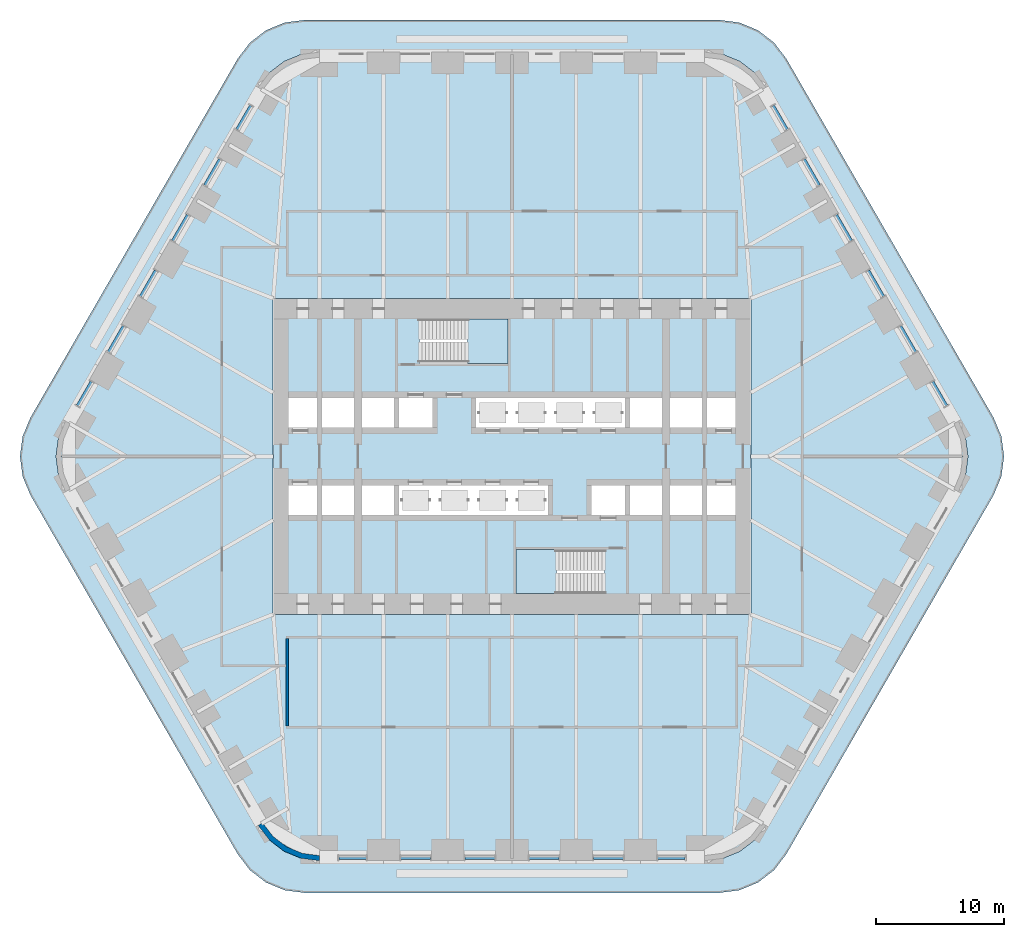
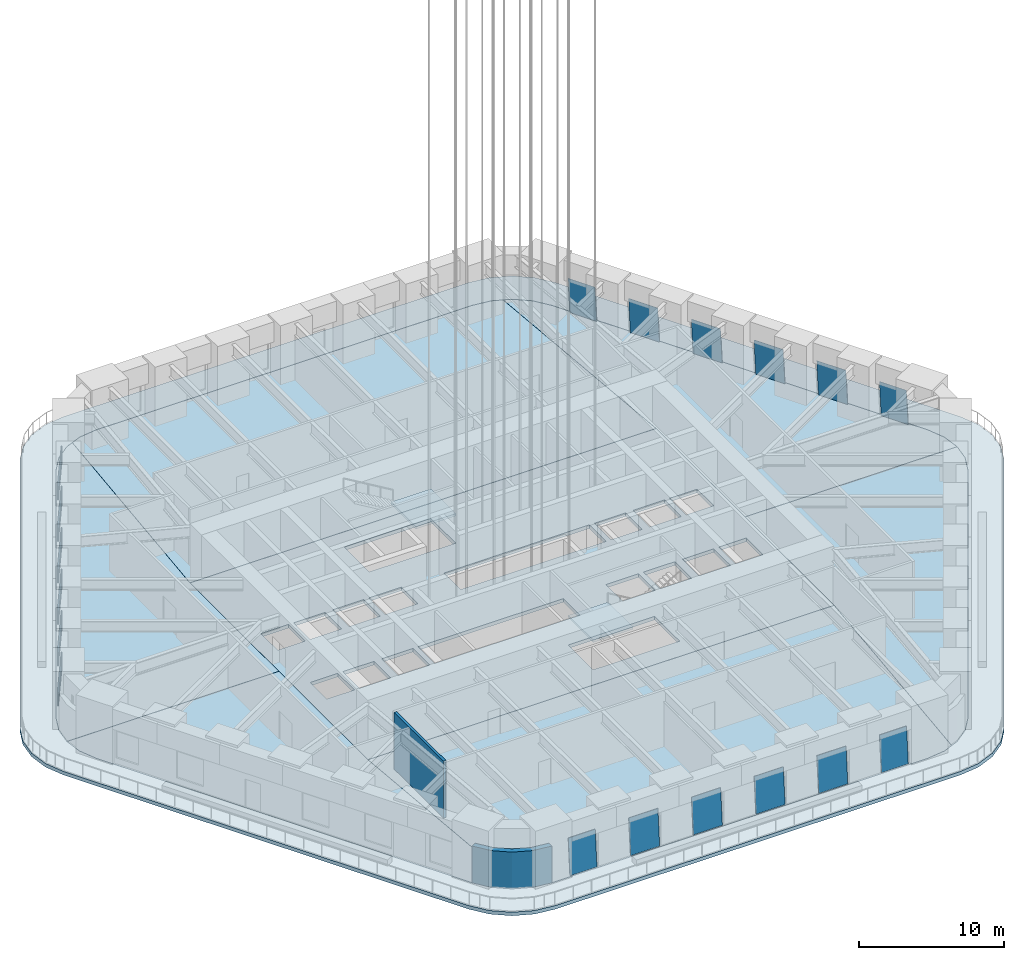
# One storey, part 6 of 15: 18 plates, 10 slabs, 2 walls, 20 elements without a shape of their own.
"""IFC4 building model written with IfcOpenShell, lengths in metres."""

from ifc_helpers import new_model, si_unit, direction, frame, frame_2d, origin, place, context, subcontext, project, spatial, polyline, rectangle, outline, extrude, material, layer, layer_set, type_object, element, aggregate, save


model = new_model("IFC4")

# Units and contexts
model_context = context("Model", 3, precision=1e-05, world=origin(), true_north=direction((0.0, 1.0)))
body_context = subcontext(model_context, "Body", "Model", "MODEL_VIEW")
ifc_project = project(units=[si_unit("LENGTHUNIT", "METRE"), si_unit("AREAUNIT", "SQUARE_METRE"), si_unit("VOLUMEUNIT", "CUBIC_METRE"), si_unit("PLANEANGLEUNIT", "RADIAN"), si_unit("MASSUNIT", "GRAM", prefix="KILO")], contexts=[model_context])

# Site, building, storey
site_placement = place(None, origin())
site = spatial("IfcSite", under=ifc_project, at=site_placement, CompositionType="ELEMENT")
building_placement = place(site_placement, origin())
building = spatial("IfcBuilding", under=site, at=building_placement, Name="Tarfa Lantern Tower", CompositionType="ELEMENT")
storey_placement = place(building_placement, frame((0.0, 0.0, 114.5)))
storey = spatial("IfcBuildingStorey", under=building, at=storey_placement, Name="L25", CompositionType="ELEMENT", Elevation=114.5)

# Curtain wall, plate
ifc_material_1 = material(Name="Aluminium framed curtain wall", Category="aluminium")
curtain_wall_type = type_object("IfcCurtainWallType", Name="CW5 CANTED GLAZING SKY LOBBY 3100", PredefinedType="USERDEFINED", material=ifc_material_1)
curtain_wall_1_placement = place(storey_placement, origin())
curtain_wall_1 = element("IfcCurtainWall", 1, at=curtain_wall_1_placement, inside=storey, type_object=curtain_wall_type, Name="CW5 NE L25", ObjectType="CURTAIN WALL", PredefinedType="USERDEFINED")
ifc_material_2 = material(Name="Laminated double glazing", Category="glass")
ifc_layer_1 = layer(ifc_material_2, 0.028076171875)
ifc_layer_set_1 = layer_set([ifc_layer_1], Name="CWP1 DOUBLE GLAZED PANEL")
plate_type = type_object("IfcPlateType", Name="CWP1 DOUBLE GLAZED PANEL", PredefinedType="CURTAIN_PANEL", material=ifc_layer_set_1)
plate_1_placement = place(storey_placement, frame((33.941162109375, 4.011962890625, 0.0), z_axis=(0.863252165873, 0.498335020971, 0.080361091263), x_axis=(-0.499951956822, 0.866053139749, 0.0)))
plate_1 = element("IfcPlate", 2, at=plate_1_placement, type_object=plate_type, Name="CW5 panel 1.1", PredefinedType="CURTAIN_PANEL", context=body_context, shape_type="SweptSolid", body=[
    extrude(outline(polyline([(0.0, 0.0), (2.148643955367917, 1.3877787807814457e-17), (2.148659989427257, 3.044759416883778), (1.6034059339656292e-05, 3.044759416883778), (0.0, 0.0)])), origin(), (0.0, 0.0, -1.0), 0.028076171875),
])
aggregate(curtain_wall_1, [plate_1])

curtain_wall_2_placement = place(storey_placement, origin())
curtain_wall_2 = element("IfcCurtainWall", 3, at=curtain_wall_2_placement, inside=storey, type_object=curtain_wall_type, Name="CW5 NE L25", ObjectType="CURTAIN WALL", PredefinedType="USERDEFINED")
plate_2_placement = place(storey_placement, frame((31.52685546875, 8.19384765625, 0.0), z_axis=(0.863214494144, 0.498397061283, 0.080381007735), x_axis=(-0.500014857043, 0.866016825894, -2.104488e-06)))
plate_2 = element("IfcPlate", 4, at=plate_2_placement, type_object=plate_type, Name="CW5 panel 1.1", PredefinedType="CURTAIN_PANEL", context=body_context, shape_type="SweptSolid", body=[
    extrude(outline(polyline([(0.0, 0.0), (2.3237664552034683, 0.0), (2.3235824435876626, 3.0447692281774863), (2.7418273329181483e-05, 3.0447594161947067), (0.0, 0.0)])), origin(), (0.0, 0.0, -1.0), 0.028076171875),
])
aggregate(curtain_wall_2, [plate_2])

curtain_wall_3_placement = place(storey_placement, origin())
curtain_wall_3 = element("IfcCurtainWall", 5, at=curtain_wall_3_placement, inside=storey, type_object=curtain_wall_type, Name="CW5 NE L25", ObjectType="CURTAIN WALL", PredefinedType="USERDEFINED")
plate_3_placement = place(storey_placement, frame((29.025146484375, 12.527099609375, 0.0), z_axis=(0.863224156518, 0.498372408209, 0.080430083543), x_axis=(-0.499992256698, 0.866029874336, 0.0)))
plate_3 = element("IfcPlate", 6, at=plate_3_placement, type_object=plate_type, Name="CW5 panel 1.1", PredefinedType="CURTAIN_PANEL", context=body_context, shape_type="SweptSolid", body=[
    extrude(outline(polyline([(0.0, 0.0), (2.3237664559999, 0.0), (2.3239159442881285, 3.0447764150887604), (0.000149488288228819, 3.0447764150887604), (0.0, 0.0)])), origin(), (0.0, 0.0, -1.0), 0.028076171875),
])
aggregate(curtain_wall_3, [plate_3])

curtain_wall_4_placement = place(storey_placement, origin())
curtain_wall_4 = element("IfcCurtainWall", 7, at=curtain_wall_4_placement, inside=storey, type_object=curtain_wall_type, Name="CW5 NE L25", ObjectType="CURTAIN WALL", PredefinedType="USERDEFINED")
plate_4_placement = place(storey_placement, frame((26.523193359375, 16.860595703125, 0.0), z_axis=(0.863214494144, 0.498397061283, 0.080381007735), x_axis=(-0.500015151, 0.866016656171, 2.10468e-06)))
plate_4 = element("IfcPlate", 8, at=plate_4_placement, type_object=plate_type, Name="CW5 panel 1.1", PredefinedType="CURTAIN_PANEL", context=body_context, shape_type="SweptSolid", body=[
    extrude(outline(polyline([(0.0, 0.0), (2.3235550253350508, -1.3877787807814457e-17), (2.3235953011162227, 3.0447594160517766), (-0.00017115406652658507, 3.0447692289273895), (0.0, 0.0)])), origin(), (0.0, 0.0, -1.0), 0.028076171875),
])
aggregate(curtain_wall_4, [plate_4])

curtain_wall_5_placement = place(storey_placement, origin())
curtain_wall_5 = element("IfcCurtainWall", 9, at=curtain_wall_5_placement, inside=storey, type_object=curtain_wall_type, Name="CW5 NE L25", ObjectType="CURTAIN WALL", PredefinedType="USERDEFINED")
plate_5_placement = place(storey_placement, frame((24.021240234375, 21.19384765625, 0.0), z_axis=(0.863214494144, 0.498397061283, 0.080381007735), x_axis=(-0.500014857043, 0.866016825894, -2.104488e-06)))
plate_5 = element("IfcPlate", 10, at=plate_5_placement, type_object=plate_type, Name="CW5 panel 1.1", PredefinedType="CURTAIN_PANEL", context=body_context, shape_type="SweptSolid", body=[
    extrude(outline(polyline([(0.0, 0.0), (2.3237664552034683, 0.0), (2.3235824435876626, 3.0447692281774863), (2.7418273329181483e-05, 3.0447594161947067), (0.0, 0.0)])), origin(), (0.0, 0.0, -1.0), 0.028076171875),
])
aggregate(curtain_wall_5, [plate_5])

curtain_wall_6_placement = place(storey_placement, origin())
curtain_wall_6 = element("IfcCurtainWall", 11, at=curtain_wall_6_placement, inside=storey, type_object=curtain_wall_type, Name="CW5 NE L25", ObjectType="CURTAIN WALL", PredefinedType="USERDEFINED")
plate_6_placement = place(storey_placement, frame((21.51953125, 25.527099609375, 0.0), z_axis=(0.86320312555, 0.49841996268, 0.080361090361), x_axis=(-0.500037174102, 0.866003940243, 0.0)))
plate_6 = element("IfcPlate", 12, at=plate_6_placement, type_object=plate_type, Name="CW5 panel 1.1", PredefinedType="CURTAIN_PANEL", context=body_context, shape_type="SweptSolid", body=[
    extrude(outline(polyline([(0.0, 0.0), (2.148766024353921, 0.0), (2.1488061349640892, 3.0447594166617953), (4.011061016805095e-05, 3.0447594166617953), (0.0, 0.0)])), origin(), (0.0, 0.0, -1.0), 0.028076171875),
])
aggregate(curtain_wall_6, [plate_6])

curtain_wall_7_placement = place(storey_placement, origin())
curtain_wall_7 = element("IfcCurtainWall", 13, at=curtain_wall_7_placement, inside=storey, type_object=curtain_wall_type, Name="CW5 NW L25", ObjectType="CURTAIN WALL", PredefinedType="USERDEFINED")
plate_7_placement = place(storey_placement, frame((-20.445068359375, 27.387939453125, 0.0), z_axis=(-0.86320312555, 0.49841996268, 0.080361090361), x_axis=(-0.500037174102, -0.866003940243, 0.0)))
plate_7 = element("IfcPlate", 14, at=plate_7_placement, type_object=plate_type, Name="CW5 panel 1.1", PredefinedType="CURTAIN_PANEL", context=body_context, shape_type="SweptSolid", body=[
    extrude(outline(polyline([(0.0, 0.0), (2.148766024353921, 0.0), (2.148725913743753, 3.0447594166617953), (-4.011061016805095e-05, 3.0447594166617953), (0.0, 0.0)])), origin(), (0.0, 0.0, -1.0), 0.028076171875),
])
aggregate(curtain_wall_7, [plate_7])

curtain_wall_8_placement = place(storey_placement, origin())
curtain_wall_8 = element("IfcCurtainWall", 15, at=curtain_wall_8_placement, inside=storey, type_object=curtain_wall_type, Name="CW5 NW L25", ObjectType="CURTAIN WALL", PredefinedType="USERDEFINED")
plate_8_placement = place(storey_placement, frame((-22.859375, 23.206298828125, 0.0), z_axis=(-0.863214494144, 0.498397061283, 0.080381007735), x_axis=(-0.500014857043, -0.866016825894, 2.104488e-06)))
plate_8 = element("IfcPlate", 16, at=plate_8_placement, type_object=plate_type, Name="CW5 panel 1.1", PredefinedType="CURTAIN_PANEL", context=body_context, shape_type="SweptSolid", body=[
    extrude(outline(polyline([(0.0, 0.0), (2.3237664552034683, 0.0), (2.323739036930139, 3.0447594161947067), (0.00018401161580511159, 3.0447692281774863), (0.0, 0.0)])), origin(), (0.0, 0.0, -1.0), 0.028076171875),
])
aggregate(curtain_wall_8, [plate_8])

curtain_wall_9_placement = place(storey_placement, origin())
curtain_wall_9 = element("IfcCurtainWall", 17, at=curtain_wall_9_placement, inside=storey, type_object=curtain_wall_type, Name="CW5 NW L25", ObjectType="CURTAIN WALL", PredefinedType="USERDEFINED")
plate_9_placement = place(storey_placement, frame((-25.361328125, 18.872802734375, 0.0), z_axis=(-0.863214494144, 0.498397061283, 0.080381007735), x_axis=(-0.500015151, -0.866016656171, -2.10468e-06)))
plate_9 = element("IfcPlate", 18, at=plate_9_placement, type_object=plate_type, Name="CW5 panel 1.1", PredefinedType="CURTAIN_PANEL", context=body_context, shape_type="SweptSolid", body=[
    extrude(outline(polyline([(0.0, 0.0), (2.3235550253350508, 1.3877787807814457e-17), (2.3237261794015773, 3.0447692289273895), (-4.0275781171478526e-05, 3.0447594160517766), (0.0, 0.0)])), origin(), (0.0, 0.0, -1.0), 0.028076171875),
])
aggregate(curtain_wall_9, [plate_9])

curtain_wall_10_placement = place(storey_placement, origin())
curtain_wall_10 = element("IfcCurtainWall", 19, at=curtain_wall_10_placement, inside=storey, type_object=curtain_wall_type, Name="CW5 NW L25", ObjectType="CURTAIN WALL", PredefinedType="USERDEFINED")
plate_10_placement = place(storey_placement, frame((-27.86328125, 14.53955078125, 0.0), z_axis=(-0.863224156518, 0.498372408209, 0.080430083543), x_axis=(-0.499992256698, -0.866029874336, 0.0)))
plate_10 = element("IfcPlate", 20, at=plate_10_placement, type_object=plate_type, Name="CW5 panel 1.1", PredefinedType="CURTAIN_PANEL", context=body_context, shape_type="SweptSolid", body=[
    extrude(outline(polyline([(0.0, 0.0), (2.3237664559999, 0.0), (2.323616967711671, 3.0447764150887604), (-0.000149488288228819, 3.0447764150887604), (0.0, 0.0)])), origin(), (0.0, 0.0, -1.0), 0.028076171875),
])
aggregate(curtain_wall_10, [plate_10])

curtain_wall_11_placement = place(storey_placement, origin())
curtain_wall_11 = element("IfcCurtainWall", 21, at=curtain_wall_11_placement, inside=storey, type_object=curtain_wall_type, Name="CW5 NW L25", ObjectType="CURTAIN WALL", PredefinedType="USERDEFINED")
plate_11_placement = place(storey_placement, frame((-30.364990234375, 10.206298828125, 0.0), z_axis=(-0.863214494144, 0.498397061283, 0.080381007735), x_axis=(-0.500014857043, -0.866016825894, 2.104488e-06)))
plate_11 = element("IfcPlate", 22, at=plate_11_placement, type_object=plate_type, Name="CW5 panel 1.1", PredefinedType="CURTAIN_PANEL", context=body_context, shape_type="SweptSolid", body=[
    extrude(outline(polyline([(0.0, 0.0), (2.3237664552034683, 0.0), (2.323739036930139, 3.0447594161947067), (0.00018401161580511159, 3.0447692281774863), (0.0, 0.0)])), origin(), (0.0, 0.0, -1.0), 0.028076171875),
])
aggregate(curtain_wall_11, [plate_11])

curtain_wall_12_placement = place(storey_placement, origin())
curtain_wall_12 = element("IfcCurtainWall", 23, at=curtain_wall_12_placement, inside=storey, type_object=curtain_wall_type, Name="CW5 NW L25", ObjectType="CURTAIN WALL", PredefinedType="USERDEFINED")
plate_12_placement = place(storey_placement, frame((-32.866943359375, 5.872802734375, 0.0), z_axis=(-0.863252165873, 0.498335020971, 0.080361091263), x_axis=(-0.499951956822, -0.866053139749, 0.0)))
plate_12 = element("IfcPlate", 24, at=plate_12_placement, type_object=plate_type, Name="CW5 panel 1.1", PredefinedType="CURTAIN_PANEL", context=body_context, shape_type="SweptSolid", body=[
    extrude(outline(polyline([(0.0, 0.0), (2.148643955367917, -1.3877787807814457e-17), (2.1486279213085773, 3.044759416883778), (-1.6034059339656292e-05, 3.044759416883778), (0.0, 0.0)])), origin(), (0.0, 0.0, -1.0), 0.028076171875),
])
aggregate(curtain_wall_12, [plate_12])

curtain_wall_13_placement = place(storey_placement, origin())
curtain_wall_13 = element("IfcCurtainWall", 25, at=curtain_wall_13_placement, inside=storey, type_object=curtain_wall_type, Name="CW5 S L25", ObjectType="CURTAIN WALL", PredefinedType="USERDEFINED")
plate_13_placement = place(storey_placement, frame((-13.49609375, -31.39990234375, 0.0), z_axis=(0.0, -0.996767166549, 0.080344356921), x_axis=(1.0, 0.0, 0.0)))
plate_13 = element("IfcPlate", 26, at=plate_13_placement, type_object=plate_type, Name="CW5 panel 1.1", PredefinedType="CURTAIN_PANEL", context=body_context, shape_type="SweptSolid", body=[
    extrude(outline(polyline([(0.0, 0.0), (2.148681640625, 0.0), (2.148681640625, 3.0447552961451736), (0.0, 3.0447552961451736), (0.0, 0.0)])), origin(), (0.0, 0.0, -1.0), 0.028076171875),
])
aggregate(curtain_wall_13, [plate_13])

curtain_wall_14_placement = place(storey_placement, origin())
curtain_wall_14 = element("IfcCurtainWall", 27, at=curtain_wall_14_placement, inside=storey, type_object=curtain_wall_type, Name="CW5 S L25", ObjectType="CURTAIN WALL", PredefinedType="USERDEFINED")
plate_14_placement = place(storey_placement, frame((-8.66748046875, -31.39990234375, 0.0), z_axis=(0.0, -0.996767166549, 0.080344356921), x_axis=(1.0, 0.0, 0.0)))
plate_14 = element("IfcPlate", 28, at=plate_14_placement, type_object=plate_type, Name="CW5 panel 1.1", PredefinedType="CURTAIN_PANEL", context=body_context, shape_type="SweptSolid", body=[
    extrude(outline(polyline([(0.0, 0.0), (2.32373046875, 0.0), (2.32373046875, 3.0447552961451736), (0.0, 3.0447552961451736), (0.0, 0.0)])), origin(), (0.0, 0.0, -1.0), 0.028076171875),
])
aggregate(curtain_wall_14, [plate_14])

curtain_wall_15_placement = place(storey_placement, origin())
curtain_wall_15 = element("IfcCurtainWall", 29, at=curtain_wall_15_placement, inside=storey, type_object=curtain_wall_type, Name="CW5 S L25", ObjectType="CURTAIN WALL", PredefinedType="USERDEFINED")
plate_15_placement = place(storey_placement, frame((-3.663818359375, -31.39990234375, 0.0), z_axis=(0.0, -0.996767166549, 0.080344356921), x_axis=(1.0, 0.0, 0.0)))
plate_15 = element("IfcPlate", 30, at=plate_15_placement, type_object=plate_type, Name="CW5 panel 1.1", PredefinedType="CURTAIN_PANEL", context=body_context, shape_type="SweptSolid", body=[
    extrude(outline(polyline([(0.0, 0.0), (2.32373046875, 0.0), (2.32373046875, 3.0447552961451736), (0.0, 3.0447552961451736), (0.0, 0.0)])), origin(), (0.0, 0.0, -1.0), 0.028076171875),
])
aggregate(curtain_wall_15, [plate_15])

curtain_wall_16_placement = place(storey_placement, origin())
curtain_wall_16 = element("IfcCurtainWall", 31, at=curtain_wall_16_placement, inside=storey, type_object=curtain_wall_type, Name="CW5 S L25", ObjectType="CURTAIN WALL", PredefinedType="USERDEFINED")
plate_16_placement = place(storey_placement, frame((1.340087890625, -31.39990234375, 0.0), z_axis=(0.0, -0.996767166549, 0.080344356921), x_axis=(1.0, 0.0, 0.0)))
plate_16 = element("IfcPlate", 32, at=plate_16_placement, type_object=plate_type, Name="CW5 panel 1.1", PredefinedType="CURTAIN_PANEL", context=body_context, shape_type="SweptSolid", body=[
    extrude(outline(polyline([(0.0, 0.0), (2.32373046875, 0.0), (2.32373046875, 3.0447552961451736), (0.0, 3.0447552961451736), (0.0, 0.0)])), origin(), (0.0, 0.0, -1.0), 0.028076171875),
])
aggregate(curtain_wall_16, [plate_16])

curtain_wall_17_placement = place(storey_placement, origin())
curtain_wall_17 = element("IfcCurtainWall", 33, at=curtain_wall_17_placement, inside=storey, type_object=curtain_wall_type, Name="CW5 S L25", ObjectType="CURTAIN WALL", PredefinedType="USERDEFINED")
plate_17_placement = place(storey_placement, frame((6.34375, -31.39990234375, 0.0), z_axis=(0.0, -0.996767166549, 0.080344356921), x_axis=(1.0, 0.0, 0.0)))
plate_17 = element("IfcPlate", 34, at=plate_17_placement, type_object=plate_type, Name="CW5 panel 1.1", PredefinedType="CURTAIN_PANEL", context=body_context, shape_type="SweptSolid", body=[
    extrude(outline(polyline([(0.0, 0.0), (2.32373046875, 0.0), (2.32373046875, 3.0447552961451736), (0.0, 3.0447552961451736), (0.0, 0.0)])), origin(), (0.0, 0.0, -1.0), 0.028076171875),
])
aggregate(curtain_wall_17, [plate_17])

curtain_wall_18_placement = place(storey_placement, origin())
curtain_wall_18 = element("IfcCurtainWall", 35, at=curtain_wall_18_placement, inside=storey, type_object=curtain_wall_type, Name="CW5 S L25", ObjectType="CURTAIN WALL", PredefinedType="USERDEFINED")
plate_18_placement = place(storey_placement, frame((11.347412109375, -31.39990234375, 0.0), z_axis=(0.0, -0.996767166549, 0.080344356921), x_axis=(1.0, 0.0, 0.0)))
plate_18 = element("IfcPlate", 36, at=plate_18_placement, type_object=plate_type, Name="CW5 panel 1.1", PredefinedType="CURTAIN_PANEL", context=body_context, shape_type="SweptSolid", body=[
    extrude(outline(polyline([(0.0, 0.0), (2.148681640625, 0.0), (2.148681640625, 3.0447552961451736), (0.0, 3.0447552961451736), (0.0, 0.0)])), origin(), (0.0, 0.0, -1.0), 0.028076171875),
])
aggregate(curtain_wall_18, [plate_18])

# Slabs
ifc_material_3 = material(Name="Concrete C40/50", Category="concrete")
ifc_layer_2 = layer(ifc_material_3, 0.300048828125)
ifc_layer_set_2 = layer_set([ifc_layer_2], Name="FS2 FLOOR SLAB 300")
slab_type_1 = type_object("IfcSlabType", Name="FS2 FLOOR SLAB 300", PredefinedType="FLOOR", material=ifc_layer_set_2)
slab_1_placement = place(storey_placement, frame((0.0, 0.0, -0.300048828125)))
element("IfcSlab", 37, at=slab_1_placement, inside=storey, type_object=slab_type_1, Name="Floor slab L25", PredefinedType="FLOOR", context=body_context, shape_type="SweptSolid", body=[
    extrude(outline(polyline([(-18.60009765625, -12.300048828125), (18.60009765625, -12.300048828125), (18.60009765625, 12.300048828125), (-18.60009765625, 12.300048828125), (-18.60009765625, -12.300048828125)]), holes=[polyline([(-17.39990234375, 2.25), (-15.199951171875, 2.25), (-15.199951171875, 4.550048828125), (-17.39990234375, 4.550048828125), (-17.39990234375, 2.25)]), polyline([(-14.800048828125, 2.25), (-12.300048828125, 2.25), (-12.300048828125, 4.550048828125), (-14.800048828125, 4.550048828125), (-14.800048828125, 2.25)]), polyline([(-11.699951171875, 2.25), (-9.199951171875, 2.25), (-9.199951171875, 4.550048828125), (-11.699951171875, 4.550048828125), (-11.699951171875, 2.25)]), polyline([(-8.800048828125, 2.25), (-6.199951171875, 2.25), (-6.199951171875, 4.550048828125), (-8.800048828125, 4.550048828125), (-8.800048828125, 2.25)]), polyline([(-2.800048828125, 2.25), (8.800048828125, 2.25), (8.800048828125, 4.550048828125), (-2.800048828125, 4.550048828125), (-2.800048828125, 2.25)]), polyline([(9.199951171875, 2.25), (11.699951171875, 2.25), (11.699951171875, 4.550048828125), (9.199951171875, 4.550048828125), (9.199951171875, 2.25)]), polyline([(12.300048828125, 2.25), (14.800048828125, 2.25), (14.800048828125, 4.550048828125), (12.300048828125, 4.550048828125), (12.300048828125, 2.25)]), polyline([(15.199951171875, 2.25), (17.39990234375, 2.25), (17.39990234375, 4.550048828125), (15.199951171875, 4.550048828125), (15.199951171875, 2.25)]), polyline([(17.39990234375, -2.25), (15.199951171875, -2.25), (15.199951171875, -4.550048828125), (17.39990234375, -4.550048828125), (17.39990234375, -2.25)]), polyline([(14.800048828125, -2.25), (12.300048828125, -2.25), (12.300048828125, -4.550048828125), (14.800048828125, -4.550048828125), (14.800048828125, -2.25)]), polyline([(11.699951171875, -2.25), (9.199951171875, -2.25), (9.199951171875, -4.550048828125), (11.699951171875, -4.550048828125), (11.699951171875, -2.25)]), polyline([(8.800048828125, -2.25), (6.199951171875, -2.25), (6.199951171875, -4.550048828125), (8.800048828125, -4.550048828125), (8.800048828125, -2.25)]), polyline([(2.800048828125, -2.25), (-8.800048828125, -2.25), (-8.800048828125, -4.550048828125), (2.800048828125, -4.550048828125), (2.800048828125, -2.25)]), polyline([(-9.199951171875, -2.25), (-11.699951171875, -2.25), (-11.699951171875, -4.550048828125), (-9.199951171875, -4.550048828125), (-9.199951171875, -2.25)]), polyline([(-12.300048828125, -2.25), (-14.800048828125, -2.25), (-14.800048828125, -4.550048828125), (-12.300048828125, -4.550048828125), (-12.300048828125, -2.25)]), polyline([(-15.199951171875, -2.25), (-17.39990234375, -2.25), (-17.39990234375, -4.550048828125), (-15.199951171875, -4.550048828125), (-15.199951171875, -2.25)]), polyline([(-7.199951171875, 7.25), (-0.300048828125, 7.25), (-0.300048828125, 10.699951171875), (-7.199951171875, 10.699951171875), (-7.199951171875, 7.25)]), polyline([(7.199951171875, -7.25), (0.300048828125, -7.25), (0.300048828125, -10.699951171875), (7.199951171875, -10.699951171875), (7.199951171875, -7.25)])]), origin(), (0.0, 0.0, 1.0), 0.300048828125),
])
slab_2_placement = place(storey_placement, frame((0.0, 0.0, -0.300048828125)))
element("IfcSlab", 38, at=slab_2_placement, inside=storey, type_object=slab_type_1, Name="Floor slab L25 NE bay", PredefinedType="FLOOR", context=body_context, shape_type="SweptSolid", body=[
    extrude(outline(polyline([(34.783447265625, 2.7490234375), (19.7724609375, 28.748779296875), (18.898681640625, 29.8876953125), (17.760009765625, 30.761474609375), (17.19189453125, 30.996826171875), (18.60205078125, 12.300048828125), (18.60205078125, 0.001953125), (35.52001953125, 0.001953125), (35.332763671875, 1.423095703125), (34.783447265625, 2.7490234375)])), origin(), (0.0, 0.0, 1.0), 0.300048828125),
])
slab_3_placement = place(storey_placement, frame((0.0, 0.0, -0.300048828125)))
element("IfcSlab", 39, at=slab_3_placement, inside=storey, type_object=slab_type_1, Name="Floor slab L25 N bay", PredefinedType="FLOOR", context=body_context, shape_type="SweptSolid", body=[
    extrude(outline(polyline([(-18.597900390625, 12.302001953125), (18.597900390625, 12.302001953125), (17.187744140625, 30.99853515625), (16.43408203125, 31.310546875), (15.010986328125, 31.498046875), (-15.010986328125, 31.498046875), (-16.43408203125, 31.310546875), (-17.187744140625, 30.99853515625), (-18.597900390625, 12.302001953125)])), origin(), (0.0, 0.0, 1.0), 0.300048828125),
])
slab_4_placement = place(storey_placement, frame((0.0, 0.0, -0.300048828125)))
element("IfcSlab", 40, at=slab_4_placement, inside=storey, type_object=slab_type_1, Name="Floor slab L25 NW bay", PredefinedType="FLOOR", context=body_context, shape_type="SweptSolid", body=[
    extrude(outline(polyline([(-18.60205078125, 0.001953125), (-18.60205078125, 12.300048828125), (-17.19189453125, 30.996826171875), (-17.760009765625, 30.761474609375), (-18.898681640625, 29.8876953125), (-19.7724609375, 28.748779296875), (-34.783447265625, 2.7490234375), (-35.332763671875, 1.423095703125), (-35.52001953125, 0.001953125), (-18.60205078125, 0.001953125)])), origin(), (0.0, 0.0, 1.0), 0.300048828125),
])
slab_5_placement = place(storey_placement, frame((0.0, 0.0, -0.300048828125)))
element("IfcSlab", 41, at=slab_5_placement, inside=storey, type_object=slab_type_1, Name="Floor slab L25 SW bay", PredefinedType="FLOOR", context=body_context, shape_type="SweptSolid", body=[
    extrude(outline(polyline([(-18.60205078125, -12.300048828125), (-18.60205078125, -0.001953125), (-35.52001953125, -0.001953125), (-35.332763671875, -1.423095703125), (-34.783447265625, -2.7490234375), (-19.7724609375, -28.748779296875), (-18.898681640625, -29.8876953125), (-17.760009765625, -30.761474609375), (-17.19189453125, -30.996826171875), (-18.60205078125, -12.300048828125)])), origin(), (0.0, 0.0, 1.0), 0.300048828125),
])
slab_6_placement = place(storey_placement, frame((0.0, 0.0, -0.300048828125)))
element("IfcSlab", 42, at=slab_6_placement, inside=storey, type_object=slab_type_1, Name="Floor slab L25 S bay", PredefinedType="FLOOR", context=body_context, shape_type="SweptSolid", body=[
    extrude(outline(polyline([(18.597900390625, -12.302001953125), (-18.597900390625, -12.302001953125), (-17.187744140625, -30.99853515625), (-16.43408203125, -31.310546875), (-15.010986328125, -31.498046875), (15.010986328125, -31.498046875), (16.43408203125, -31.310546875), (17.187744140625, -30.99853515625), (18.597900390625, -12.302001953125)])), origin(), (0.0, 0.0, 1.0), 0.300048828125),
])
slab_7_placement = place(storey_placement, frame((0.0, 0.0, -0.300048828125)))
element("IfcSlab", 43, at=slab_7_placement, inside=storey, type_object=slab_type_1, Name="Floor slab L25 SE bay", PredefinedType="FLOOR", context=body_context, shape_type="SweptSolid", body=[
    extrude(outline(polyline([(18.60205078125, -0.001953125), (18.60205078125, -12.300048828125), (17.19189453125, -30.996826171875), (17.760009765625, -30.761474609375), (18.898681640625, -29.8876953125), (19.7724609375, -28.748779296875), (34.783447265625, -2.7490234375), (35.332763671875, -1.423095703125), (35.52001953125, -0.001953125), (18.60205078125, -0.001953125)])), origin(), (0.0, 0.0, 1.0), 0.300048828125),
])
slab_8_placement = place(storey_placement, frame((0.0, 0.0, -0.300048828125)))
element("IfcSlab", 44, at=slab_8_placement, inside=storey, type_object=slab_type_1, Name="Sky garden terrace L25", PredefinedType="FLOOR", context=body_context, shape_type="SweptSolid", body=[
    extrude(outline(polyline([(37.52783203125, 3.0), (21.362060546875, 31.0), (20.408447265625, 32.24267578125), (19.165771484375, 33.196044921875), (17.71875, 33.795654296875), (16.165771484375, 34.0), (-16.165771484375, 34.0), (-17.71875, 33.795654296875), (-19.165771484375, 33.196044921875), (-20.408447265625, 32.24267578125), (-21.362060546875, 31.0), (-37.52783203125, 3.0), (-38.127197265625, 1.552978515625), (-38.33154296875, 0.0), (-38.127197265625, -1.552978515625), (-37.52783203125, -3.0), (-21.362060546875, -31.0), (-20.408447265625, -32.24267578125), (-19.165771484375, -33.196044921875), (-17.71875, -33.795654296875), (-16.165771484375, -34.0), (16.165771484375, -34.0), (17.71875, -33.795654296875), (19.165771484375, -33.196044921875), (20.408447265625, -32.24267578125), (21.362060546875, -31.0), (37.52783203125, -3.0), (38.127197265625, -1.552978515625), (38.33154296875, 0.0), (38.127197265625, 1.552978515625), (37.52783203125, 3.0)]), holes=[polyline([(34.785400390625, 2.75), (19.774169921875, 28.75), (18.900146484375, 29.88916015625), (17.760986328125, 30.76318359375), (16.4345703125, 31.3125), (15.010986328125, 31.5), (-15.010986328125, 31.5), (-16.4345703125, 31.3125), (-17.760986328125, 30.76318359375), (-18.900146484375, 29.88916015625), (-19.774169921875, 28.75), (-34.785400390625, 2.75), (-35.334716796875, 1.423583984375), (-35.522216796875, 0.0), (-35.334716796875, -1.423583984375), (-34.785400390625, -2.75), (-19.774169921875, -28.75), (-18.900146484375, -29.88916015625), (-17.760986328125, -30.76318359375), (-16.4345703125, -31.3125), (-15.010986328125, -31.5), (15.010986328125, -31.5), (16.4345703125, -31.3125), (17.760986328125, -30.76318359375), (18.900146484375, -29.88916015625), (19.774169921875, -28.75), (34.785400390625, -2.75), (35.334716796875, -1.423583984375), (35.522216796875, 0.0), (35.334716796875, 1.423583984375), (34.785400390625, 2.75)])]), origin(), (0.0, 0.0, 1.0), 0.300048828125),
])

# Stair, slab
stair_type = type_object("IfcStairType", Name="ST-T9 HALF-TURN STAIR 5000 RISE", PredefinedType="HALF_TURN_STAIR", material=ifc_material_3)
stair_1_placement = place(storey_placement, origin())
stair_1 = element("IfcStair", 45, at=stair_1_placement, inside=storey, type_object=stair_type, Name="Stair ST1", PredefinedType="HALF_TURN_STAIR")
ifc_layer_3 = layer(ifc_material_3, 0.199951171875)
ifc_layer_set_3 = layer_set([ifc_layer_3], Name="SL1 STAIR LANDING 200")
slab_type_2 = type_object("IfcSlabType", Name="SL1 STAIR LANDING 200", PredefinedType="LANDING", material=ifc_layer_set_3)
slab_9_placement = place(storey_placement, frame((0.0, 0.0, 2.300048828125)))
slab_9 = element("IfcSlab", 46, at=slab_9_placement, type_object=slab_type_2, Name="ST1 landing 1", PredefinedType="LANDING", context=body_context, shape_type="SweptSolid", body=[
    extrude(outline(polyline([(-3.47998046875, 7.25), (-0.300048828125, 7.25), (-0.300048828125, 10.699951171875), (-3.47998046875, 10.699951171875), (-3.47998046875, 7.25)])), origin(), (0.0, 0.0, 1.0), 0.199951171875),
])
aggregate(stair_1, [slab_9])

stair_2_placement = place(storey_placement, origin())
stair_2 = element("IfcStair", 47, at=stair_2_placement, inside=storey, type_object=stair_type, Name="Stair ST2", PredefinedType="HALF_TURN_STAIR")
slab_10_placement = place(storey_placement, frame((0.0, 0.0, 2.300048828125)))
slab_10 = element("IfcSlab", 48, at=slab_10_placement, type_object=slab_type_2, Name="ST2 landing 1", PredefinedType="LANDING", context=body_context, shape_type="SweptSolid", body=[
    extrude(outline(polyline([(3.47998046875, -7.25), (0.300048828125, -7.25), (0.300048828125, -10.699951171875), (3.47998046875, -10.699951171875), (3.47998046875, -7.25)])), origin(), (0.0, 0.0, 1.0), 0.199951171875),
])
aggregate(stair_2, [slab_10])

# Walls
ifc_material_4 = material(Name="Limestone cladding on blockwork", Category="masonry")
ifc_layer_4 = layer(ifc_material_4, 0.39990234375)
ifc_layer_set_4 = layer_set([ifc_layer_4], Name="EW2 CURVED STONE CORNER 400")
wall_type_1 = type_object("IfcWallType", Name="EW2 CURVED STONE CORNER 400", PredefinedType="SOLIDWALL", material=ifc_layer_set_4)
wall_1_placement = place(storey_placement, origin())
element("IfcWall", 49, at=wall_1_placement, inside=storey, type_object=wall_type_1, Name="Stone corner SW-S", PredefinedType="SOLIDWALL", context=body_context, shape_type="SweptSolid", body=[
    extrude(outline(polyline([(-19.774169921875, -28.75), (-18.900146484375, -29.88916015625), (-17.760986328125, -30.76318359375), (-16.4345703125, -31.3125), (-15.010986328125, -31.5), (-15.010986328125, -31.10009765625), (-16.3310546875, -30.92626953125), (-17.56103515625, -30.416748046875), (-18.617431640625, -29.606201171875), (-19.427734375, -28.550048828125), (-19.774169921875, -28.75)])), origin(), (0.0, 0.0, 1.0), 3.10009765625),
])
ifc_material_5 = material(Name="Gypsum board on steel studs", Category="steel")
ifc_layer_5 = layer(ifc_material_5, 0.2099609375)
ifc_layer_set_5 = layer_set([ifc_layer_5], Name="IW2 ACOUSTIC PARTITION 200")
wall_type_2 = type_object("IfcWallType", Name="IW2 ACOUSTIC PARTITION 200", PredefinedType="PARTITIONING", material=ifc_layer_set_5)
wall_2_placement = place(storey_placement, frame((-17.5, -14.199951171875, 0.0), z_axis=(0.0, 0.0, 1.0), x_axis=(0.0, -1.0, 0.0)))
element("IfcWall", 50, at=wall_2_placement, inside=storey, type_object=wall_type_2, Name="Partition", PredefinedType="PARTITIONING", context=body_context, shape_type="SweptSolid", body=[
    extrude(rectangle(XDim=6.800048828125, YDim=0.199951171875, at=frame_2d((3.39990234375, 0.0))), origin(), (0.0, 0.0, 1.0), 4.800048828125),
])

save(model, "model.ifc")
